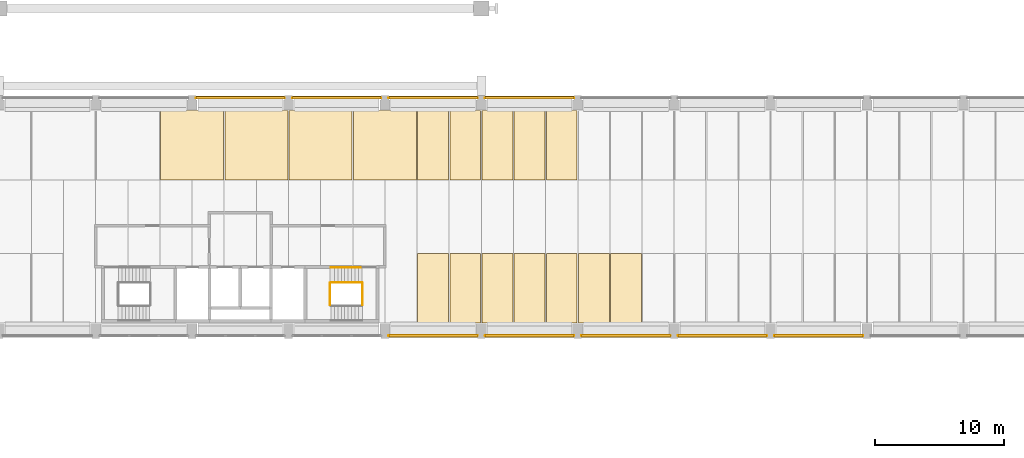
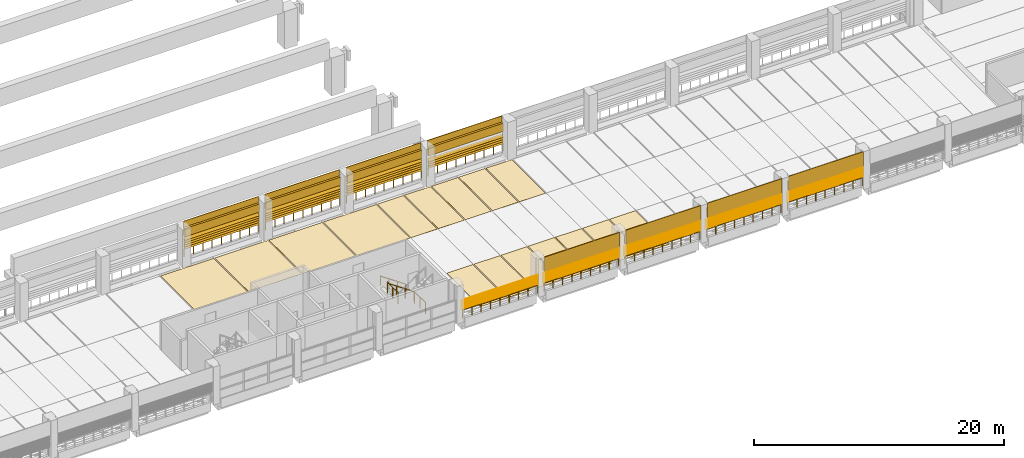
# One storey, part 46 of 61: 44 shading devices, 24 coverings, 13 railings.
"""IFC4 building model written with IfcOpenShell, lengths in metres."""

from ifc_helpers import new_model, si_unit, direction, frame, origin, origin_2d, place, context, subcontext, project, spatial, polyline, circle, outline, extrude, material, layer, layer_set, type_object, element, save


model = new_model("IFC4")

# Units and contexts
model_context = context("Model", 3, precision=1e-05, world=origin(), true_north=direction((0.0, 1.0)))
body_context = subcontext(model_context, "Body", "Model", "MODEL_VIEW")
ifc_project = project(units=[si_unit("LENGTHUNIT", "METRE"), si_unit("AREAUNIT", "SQUARE_METRE"), si_unit("VOLUMEUNIT", "CUBIC_METRE"), si_unit("PLANEANGLEUNIT", "RADIAN"), si_unit("MASSUNIT", "GRAM", prefix="KILO")], contexts=[model_context])

# Site, building, storey
site_placement = place(None, origin())
site = spatial("IfcSite", under=ifc_project, at=site_placement, CompositionType="ELEMENT")
building_placement = place(site_placement, origin())
building = spatial("IfcBuilding", under=site, at=building_placement, Name="Cour d'Honneur Mobility Palace", CompositionType="ELEMENT")
storey_placement = place(building_placement, frame((0.0, 0.0, 11.89990234375)))
storey = spatial("IfcBuildingStorey", under=building, at=storey_placement, Name="L03", CompositionType="ELEMENT", Elevation=11.89990234375)

# Coverings
ifc_material_1 = material(Name="Accessible bay marking paint")
ifc_layer_1 = layer(ifc_material_1, 0.0048828125)
ifc_layer_set_1 = layer_set([ifc_layer_1], Name="Accessible bay marking paint")
covering_type_1 = type_object("IfcCoveringType", Name="Accessible parking bay marking", PredefinedType="FLOORING", material=ifc_layer_set_1)
covering_1_placement = place(storey_placement, origin())
element("IfcCovering", 1, at=covering_1_placement, inside=storey, type_object=covering_type_1, Name="Accessible parking bay marking L03 3", PredefinedType="FLOORING", context=body_context, shape_type="SweptSolid", body=[
    extrude(outline(polyline([(74.949951171875, 56.550048828125), (74.949951171875, 61.949951171875), (79.85009765625, 61.949951171875), (79.85009765625, 56.550048828125), (74.949951171875, 56.550048828125)])), origin(), (0.0, 0.0, 1.0), 0.005126953125),
])
covering_2_placement = place(storey_placement, origin())
element("IfcCovering", 2, at=covering_2_placement, inside=storey, type_object=covering_type_1, Name="Accessible parking bay marking L03 4", PredefinedType="FLOORING", context=body_context, shape_type="SweptSolid", body=[
    extrude(outline(polyline([(79.949951171875, 56.550048828125), (79.949951171875, 61.949951171875), (84.85009765625, 61.949951171875), (84.85009765625, 56.550048828125), (79.949951171875, 56.550048828125)])), origin(), (0.0, 0.0, 1.0), 0.005126953125),
])
covering_3_placement = place(storey_placement, origin())
element("IfcCovering", 3, at=covering_3_placement, inside=storey, type_object=covering_type_1, Name="Accessible parking bay marking L03 5", PredefinedType="FLOORING", context=body_context, shape_type="SweptSolid", body=[
    extrude(outline(polyline([(84.949951171875, 56.550048828125), (84.949951171875, 61.949951171875), (89.85009765625, 61.949951171875), (89.85009765625, 56.550048828125), (84.949951171875, 56.550048828125)])), origin(), (0.0, 0.0, 1.0), 0.005126953125),
])
covering_4_placement = place(storey_placement, origin())
element("IfcCovering", 4, at=covering_4_placement, inside=storey, type_object=covering_type_1, Name="Accessible parking bay marking L03 6", PredefinedType="FLOORING", context=body_context, shape_type="SweptSolid", body=[
    extrude(outline(polyline([(89.949951171875, 56.550048828125), (89.949951171875, 61.949951171875), (94.85009765625, 61.949951171875), (94.85009765625, 56.550048828125), (89.949951171875, 56.550048828125)])), origin(), (0.0, 0.0, 1.0), 0.005126953125),
])

# Railings
ifc_material_2 = material(Name="Painted steel", Category="steel")
railing_type_1 = type_object("IfcRailingType", Name="Balustrade", PredefinedType="BALUSTRADE", material=ifc_material_2)
for number, where, name in (
    (5, (92.699951171875, 44.449951171875, 0.300048828125), "Balustrade BAL-146"),
    (6, (100.199951171875, 44.449951171875, 0.300048828125), "Balustrade BAL-147"),
    (7, (107.699951171875, 44.449951171875, 0.300048828125), "Balustrade BAL-148"),
    (8, (115.199951171875, 44.449951171875, 0.300048828125), "Balustrade BAL-149"),
    (9, (122.699951171875, 44.449951171875, 0.300048828125), "Balustrade BAL-150"),
):
    element("IfcRailing", number, at=place(storey_placement, frame(where)), inside=storey, type_object=railing_type_1, Name=name, PredefinedType="BALUSTRADE", context=body_context, shape_type="SweptSolid", body=[
        extrude(circle(Radius=0.02392578125, at=origin_2d()), frame((0.0, 0.0, 0.77587890625), z_axis=(1.0, 0.0, 0.0), x_axis=(0.0, 1.0, 0.0)), (0.0, 0.0, 1.0), 6.900146484375),
        extrude(circle(Radius=0.02099609375, at=origin_2d()), origin(), (0.0, 0.0, 1.0), 0.751953125),
        extrude(circle(Radius=0.02099609375, at=origin_2d()), frame((0.862548828125, 0.0, 0.0)), (0.0, 0.0, 1.0), 0.751953125),
        extrude(circle(Radius=0.02099609375, at=origin_2d()), frame((1.72509765625, 0.0, 0.0)), (0.0, 0.0, 1.0), 0.751953125),
        extrude(circle(Radius=0.02099609375, at=origin_2d()), frame((2.587646484375, 0.0, 0.0)), (0.0, 0.0, 1.0), 0.751953125),
        extrude(circle(Radius=0.02099609375, at=origin_2d()), frame((3.4501953125, 0.0, 0.0)), (0.0, 0.0, 1.0), 0.751953125),
        extrude(circle(Radius=0.02099609375, at=origin_2d()), frame((4.3125, 0.0, 0.0)), (0.0, 0.0, 1.0), 0.751953125),
        extrude(circle(Radius=0.02099609375, at=origin_2d()), frame((5.175048828125, 0.0, 0.0)), (0.0, 0.0, 1.0), 0.751953125),
        extrude(circle(Radius=0.02099609375, at=origin_2d()), frame((6.03759765625, 0.0, 0.0)), (0.0, 0.0, 1.0), 0.751953125),
        extrude(circle(Radius=0.02099609375, at=origin_2d()), frame((6.900146484375, 0.0, 0.0)), (0.0, 0.0, 1.0), 0.751953125),
    ])
for number, where, name in (
    (10, (107.10009765625, 62.949951171875, 0.300048828125), "Balustrade BAL-175"),
    (11, (99.60009765625, 62.949951171875, 0.300048828125), "Balustrade BAL-176"),
    (12, (92.10009765625, 62.949951171875, 0.300048828125), "Balustrade BAL-177"),
    (13, (84.60009765625, 62.949951171875, 0.300048828125), "Balustrade BAL-178"),
):
    element("IfcRailing", number, at=place(storey_placement, frame(where)), inside=storey, type_object=railing_type_1, Name=name, PredefinedType="BALUSTRADE", context=body_context, shape_type="SweptSolid", body=[
        extrude(circle(Radius=0.02392578125, at=origin_2d()), frame((0.0, 0.0, 0.77587890625), z_axis=(-1.0, 0.0, 0.0), x_axis=(0.0, -1.0, 0.0)), (0.0, 0.0, 1.0), 6.900146484375),
        extrude(circle(Radius=0.02099609375, at=origin_2d()), origin(), (0.0, 0.0, 1.0), 0.751953125),
        extrude(circle(Radius=0.02099609375, at=origin_2d()), frame((-0.862548828125, 0.0, 0.0)), (0.0, 0.0, 1.0), 0.751953125),
        extrude(circle(Radius=0.02099609375, at=origin_2d()), frame((-1.72509765625, 0.0, 0.0)), (0.0, 0.0, 1.0), 0.751953125),
        extrude(circle(Radius=0.02099609375, at=origin_2d()), frame((-2.587646484375, 0.0, 0.0)), (0.0, 0.0, 1.0), 0.751953125),
        extrude(circle(Radius=0.02099609375, at=origin_2d()), frame((-3.4501953125, 0.0, 0.0)), (0.0, 0.0, 1.0), 0.751953125),
        extrude(circle(Radius=0.02099609375, at=origin_2d()), frame((-4.3125, 0.0, 0.0)), (0.0, 0.0, 1.0), 0.751953125),
        extrude(circle(Radius=0.02099609375, at=origin_2d()), frame((-5.175048828125, 0.0, 0.0)), (0.0, 0.0, 1.0), 0.751953125),
        extrude(circle(Radius=0.02099609375, at=origin_2d()), frame((-6.03759765625, 0.0, 0.0)), (0.0, 0.0, 1.0), 0.751953125),
        extrude(circle(Radius=0.02099609375, at=origin_2d()), frame((-6.900146484375, 0.0, 0.0)), (0.0, 0.0, 1.0), 0.751953125),
    ])
ifc_material_3 = material(Name="Painted steel", Category="steel")
railing_type_2 = type_object("IfcRailingType", Name="Guardrail 1100", PredefinedType="GUARDRAIL", material=ifc_material_3)
for number, where, name in (
    (14, (90.64501953125, 46.824951171875, 0.0), "Guard ST-CC2"),
    (15, (88.135009765625, 46.824951171875, 1.85009765625), "Landing guard ST-CC2"),
):
    element("IfcRailing", number, at=place(storey_placement, frame(where)), inside=storey, type_object=railing_type_2, Name=name, PredefinedType="GUARDRAIL", context=body_context, shape_type="SweptSolid", body=[
        extrude(circle(Radius=0.02490234375, at=origin_2d()), frame((0.0, 0.0, 1.0751953125), z_axis=(0.0, 1.0, 0.0), x_axis=(-1.0, 0.0, 0.0)), (0.0, 0.0, 1.0), 1.72509765625),
        extrude(circle(Radius=0.02099609375, at=origin_2d()), origin(), (0.0, 0.0, 1.0), 1.050048828125),
        extrude(circle(Radius=0.02099609375, at=origin_2d()), frame((0.0, 0.862548828125, 0.0)), (0.0, 0.0, 1.0), 1.050048828125),
        extrude(circle(Radius=0.02099609375, at=origin_2d()), frame((0.0, 1.72509765625, 0.0)), (0.0, 0.0, 1.0), 1.050048828125),
    ])
ifc_material_4 = material(Name="Stainless steel", Category="steel")
railing_type_3 = type_object("IfcRailingType", Name="Handrail round 50", PredefinedType="HANDRAIL", material=ifc_material_4)
railing_1_placement = place(storey_placement, frame((90.52490234375, 49.75, 0.253662109375)))
element("IfcRailing", 16, at=railing_1_placement, inside=storey, type_object=railing_type_3, Name="Handrail ST-CC2", PredefinedType="HANDRAIL", context=body_context, shape_type="SweptSolid", body=[
    extrude(circle(Radius=0.02490234375, at=origin_2d()), frame((0.0, 0.0, 0.89501953125), z_axis=(-0.824921175984, 0.0, 0.565247780547), x_axis=(0.0, -1.0, 0.0)), (0.0, 0.0, 1.0), 2.82421875),
    extrude(circle(Radius=0.02099609375, at=origin_2d()), origin(), (0.0, 0.0, 1.0), 0.869873046875),
    extrude(circle(Radius=0.02099609375, at=origin_2d()), frame((-0.776611328125, 0.0, 0.5322265625)), (0.0, 0.0, 1.0), 0.869873046875),
    extrude(circle(Radius=0.02099609375, at=origin_2d()), frame((-1.55322265625, 0.0, 1.064208984375)), (0.0, 0.0, 1.0), 0.869873046875),
    extrude(circle(Radius=0.02099609375, at=origin_2d()), frame((-2.329833984375, 0.0, 1.596435546875)), (0.0, 0.0, 1.0), 0.869873046875),
])
railing_2_placement = place(storey_placement, frame((90.625, 48.60009765625, 0.18505859375)))
element("IfcRailing", 17, at=railing_2_placement, inside=storey, type_object=railing_type_3, Name="Handrail ST-CC2", PredefinedType="HANDRAIL", context=body_context, shape_type="SweptSolid", body=[
    extrude(circle(Radius=0.02490234375, at=origin_2d()), frame((0.0, 0.0, 0.89501953125), z_axis=(-0.8249187745, 0.0, 0.56525128525), x_axis=(0.0, -1.0, 0.0)), (0.0, 0.0, 1.0), 2.945556640625),
    extrude(circle(Radius=0.02099609375, at=origin_2d()), origin(), (0.0, 0.0, 1.0), 0.869873046875),
    extrude(circle(Radius=0.02099609375, at=origin_2d()), frame((-0.81005859375, 0.0, 0.554931640625)), (0.0, 0.0, 1.0), 0.869873046875),
    extrude(circle(Radius=0.02099609375, at=origin_2d()), frame((-1.619873046875, 0.0, 1.110107421875)), (0.0, 0.0, 1.0), 0.869873046875),
    extrude(circle(Radius=0.02099609375, at=origin_2d()), frame((-2.429931640625, 0.0, 1.6650390625)), (0.0, 0.0, 1.0), 0.869873046875),
])

# Coverings
ifc_material_5 = material(Name="Parking marking paint")
ifc_layer_2 = layer(ifc_material_5, 0.0048828125)
ifc_layer_set_2 = layer_set([ifc_layer_2], Name="Parking marking paint")
covering_type_2 = type_object("IfcCoveringType", Name="Parking bay marking", PredefinedType="FLOORING", material=ifc_layer_set_2)
covering_5_placement = place(storey_placement, origin())
element("IfcCovering", 18, at=covering_5_placement, inside=storey, type_object=covering_type_2, Name="Parking bay marking L03 14", PredefinedType="FLOORING", context=body_context, shape_type="SweptSolid", body=[
    extrude(outline(polyline([(97.35009765625, 56.550048828125), (94.949951171875, 56.550048828125), (94.949951171875, 61.949951171875), (97.35009765625, 61.949951171875), (97.35009765625, 56.550048828125)])), origin(), (0.0, 0.0, 1.0), 0.005126953125),
])
covering_6_placement = place(storey_placement, origin())
element("IfcCovering", 19, at=covering_6_placement, inside=storey, type_object=covering_type_2, Name="Parking bay marking L03 15", PredefinedType="FLOORING", context=body_context, shape_type="SweptSolid", body=[
    extrude(outline(polyline([(99.85009765625, 56.550048828125), (97.449951171875, 56.550048828125), (97.449951171875, 61.949951171875), (99.85009765625, 61.949951171875), (99.85009765625, 56.550048828125)])), origin(), (0.0, 0.0, 1.0), 0.005126953125),
])
covering_7_placement = place(storey_placement, origin())
element("IfcCovering", 20, at=covering_7_placement, inside=storey, type_object=covering_type_2, Name="Parking bay marking L03 16", PredefinedType="FLOORING", context=body_context, shape_type="SweptSolid", body=[
    extrude(outline(polyline([(102.35009765625, 56.550048828125), (99.949951171875, 56.550048828125), (99.949951171875, 61.949951171875), (102.35009765625, 61.949951171875), (102.35009765625, 56.550048828125)])), origin(), (0.0, 0.0, 1.0), 0.005126953125),
])
covering_8_placement = place(storey_placement, origin())
element("IfcCovering", 21, at=covering_8_placement, inside=storey, type_object=covering_type_2, Name="Parking bay marking L03 17", PredefinedType="FLOORING", context=body_context, shape_type="SweptSolid", body=[
    extrude(outline(polyline([(104.85009765625, 56.550048828125), (102.449951171875, 56.550048828125), (102.449951171875, 61.949951171875), (104.85009765625, 61.949951171875), (104.85009765625, 56.550048828125)])), origin(), (0.0, 0.0, 1.0), 0.005126953125),
])
covering_9_placement = place(storey_placement, origin())
element("IfcCovering", 22, at=covering_9_placement, inside=storey, type_object=covering_type_2, Name="Parking bay marking L03 18", PredefinedType="FLOORING", context=body_context, shape_type="SweptSolid", body=[
    extrude(outline(polyline([(107.35009765625, 56.550048828125), (104.949951171875, 56.550048828125), (104.949951171875, 61.949951171875), (107.35009765625, 61.949951171875), (107.35009765625, 56.550048828125)])), origin(), (0.0, 0.0, 1.0), 0.005126953125),
])
covering_10_placement = place(storey_placement, origin())
element("IfcCovering", 23, at=covering_10_placement, inside=storey, type_object=covering_type_2, Name="Parking bay marking L03 53", PredefinedType="FLOORING", context=body_context, shape_type="SweptSolid", body=[
    extrude(outline(polyline([(97.35009765625, 45.449951171875), (94.949951171875, 45.449951171875), (94.949951171875, 50.85009765625), (97.35009765625, 50.85009765625), (97.35009765625, 45.449951171875)])), origin(), (0.0, 0.0, 1.0), 0.005126953125),
])
covering_11_placement = place(storey_placement, origin())
element("IfcCovering", 24, at=covering_11_placement, inside=storey, type_object=covering_type_2, Name="Parking bay marking L03 54", PredefinedType="FLOORING", context=body_context, shape_type="SweptSolid", body=[
    extrude(outline(polyline([(99.85009765625, 45.449951171875), (97.449951171875, 45.449951171875), (97.449951171875, 50.85009765625), (99.85009765625, 50.85009765625), (99.85009765625, 45.449951171875)])), origin(), (0.0, 0.0, 1.0), 0.005126953125),
])
covering_12_placement = place(storey_placement, origin())
element("IfcCovering", 25, at=covering_12_placement, inside=storey, type_object=covering_type_2, Name="Parking bay marking L03 55", PredefinedType="FLOORING", context=body_context, shape_type="SweptSolid", body=[
    extrude(outline(polyline([(102.35009765625, 45.449951171875), (99.949951171875, 45.449951171875), (99.949951171875, 50.85009765625), (102.35009765625, 50.85009765625), (102.35009765625, 45.449951171875)])), origin(), (0.0, 0.0, 1.0), 0.005126953125),
])
covering_13_placement = place(storey_placement, origin())
element("IfcCovering", 26, at=covering_13_placement, inside=storey, type_object=covering_type_2, Name="Parking bay marking L03 56", PredefinedType="FLOORING", context=body_context, shape_type="SweptSolid", body=[
    extrude(outline(polyline([(104.85009765625, 45.449951171875), (102.449951171875, 45.449951171875), (102.449951171875, 50.85009765625), (104.85009765625, 50.85009765625), (104.85009765625, 45.449951171875)])), origin(), (0.0, 0.0, 1.0), 0.005126953125),
])
covering_14_placement = place(storey_placement, origin())
element("IfcCovering", 27, at=covering_14_placement, inside=storey, type_object=covering_type_2, Name="Parking bay marking L03 57", PredefinedType="FLOORING", context=body_context, shape_type="SweptSolid", body=[
    extrude(outline(polyline([(107.35009765625, 45.449951171875), (104.949951171875, 45.449951171875), (104.949951171875, 50.85009765625), (107.35009765625, 50.85009765625), (107.35009765625, 45.449951171875)])), origin(), (0.0, 0.0, 1.0), 0.005126953125),
])
covering_15_placement = place(storey_placement, origin())
element("IfcCovering", 28, at=covering_15_placement, inside=storey, type_object=covering_type_2, Name="Parking bay marking L03 58", PredefinedType="FLOORING", context=body_context, shape_type="SweptSolid", body=[
    extrude(outline(polyline([(109.85009765625, 45.449951171875), (107.449951171875, 45.449951171875), (107.449951171875, 50.85009765625), (109.85009765625, 50.85009765625), (109.85009765625, 45.449951171875)])), origin(), (0.0, 0.0, 1.0), 0.005126953125),
])
covering_16_placement = place(storey_placement, origin())
element("IfcCovering", 29, at=covering_16_placement, inside=storey, type_object=covering_type_2, Name="Parking bay marking L03 59", PredefinedType="FLOORING", context=body_context, shape_type="SweptSolid", body=[
    extrude(outline(polyline([(112.35009765625, 45.449951171875), (109.949951171875, 45.449951171875), (109.949951171875, 50.85009765625), (112.35009765625, 50.85009765625), (112.35009765625, 45.449951171875)])), origin(), (0.0, 0.0, 1.0), 0.005126953125),
])
ifc_material_6 = material(Name="Cast limestone", Category="masonry")
ifc_layer_3 = layer(ifc_material_6, 0.25)
ifc_layer_set_3 = layer_set([ifc_layer_3], Name="Cast limestone")
covering_type_3 = type_object("IfcCoveringType", Name="Spandrel cladding", PredefinedType="CLADDING", material=ifc_layer_set_3)
for number, where, z_axis, x_axis, name in (
    (30, (100.199951171875, 44.550048828125, 2.300048828125), (-1.0, 0.0, 0.0), (0.0, -1.0, 0.0), "Spandrel cladding SK-219"),
    (31, (107.699951171875, 44.550048828125, 2.300048828125), (-1.0, 0.0, 0.0), (0.0, -1.0, 0.0), "Spandrel cladding SK-220"),
    (32, (115.199951171875, 44.550048828125, 2.300048828125), (-1.0, 0.0, 0.0), (0.0, -1.0, 0.0), "Spandrel cladding SK-221"),
    (33, (122.699951171875, 44.550048828125, 2.300048828125), (-1.0, 0.0, 0.0), (0.0, -1.0, 0.0), "Spandrel cladding SK-222"),
    (34, (107.10009765625, 62.85009765625, 2.300048828125), (1.0, 0.0, 0.0), (0.0, 1.0, 0.0), "Spandrel cladding SK-250"),
    (35, (99.60009765625, 62.85009765625, 2.300048828125), (1.0, 0.0, 0.0), (0.0, 1.0, 0.0), "Spandrel cladding SK-251"),
    (36, (92.10009765625, 62.85009765625, 2.300048828125), (1.0, 0.0, 0.0), (0.0, 1.0, 0.0), "Spandrel cladding SK-252"),
    (37, (84.60009765625, 62.85009765625, 2.300048828125), (1.0, 0.0, 0.0), (0.0, 1.0, 0.0), "Spandrel cladding SK-253"),
):
    element("IfcCovering", number, at=place(storey_placement, frame(where, z_axis=z_axis, x_axis=x_axis)), inside=storey, type_object=covering_type_3, Name=name, PredefinedType="CLADDING", context=body_context, shape_type="SweptSolid", body=[
        extrude(outline(polyline([(0.0, 0.0), (0.25, 0.0), (0.25, 1.400146484375), (0.199951171875, 1.400146484375), (0.199951171875, 0.800048828125), (0.0, 0.800048828125), (0.0, 0.0)])), origin(), (0.0, 0.0, -1.0), 6.89990234375),
    ])

# Shading devices
ifc_material_7 = material(Name="Terracotta", Category="masonry")
ifc_layer_4 = layer(ifc_material_7, 0.02490234375)
ifc_layer_set_4 = layer_set([ifc_layer_4], Name="Terracotta")
shading_device_type = type_object("IfcShadingDeviceType", Name="Terracotta louvre blade", PredefinedType="JALOUSIE", material=ifc_layer_set_4)
for number, where, z_axis, x_axis, name in (
    (38, (92.699951171875, 44.55615234375, 1.10009765625), (0.0, 0.707106781187, 0.707106781187), (1.0, 0.0, 0.0), "Louvre blade LV-1 S2.10 L03 1"),
    (39, (92.699951171875, 44.55615234375, 1.312255859375), (0.0, 0.707106781187, 0.707106781187), (1.0, 0.0, 0.0), "Louvre blade LV-1 S2.10 L03 2"),
    (40, (92.699951171875, 44.55615234375, 1.5244140625), (0.0, 0.707106781187, 0.707106781187), (1.0, 0.0, 0.0), "Louvre blade LV-1 S2.10 L03 3"),
    (41, (92.699951171875, 44.55615234375, 1.736572265625), (0.0, 0.707106781187, 0.707106781187), (1.0, 0.0, 0.0), "Louvre blade LV-1 S2.10 L03 4"),
):
    element("IfcShadingDevice", number, at=place(storey_placement, frame(where, z_axis=z_axis, x_axis=x_axis)), inside=storey, type_object=shading_device_type, Name=name, PredefinedType="JALOUSIE", context=body_context, shape_type="SweptSolid", body=[
        extrude(outline(polyline([(0.0, 0.0), (6.900146484375, 0.0), (6.900146484375, -0.300037008228081), (0.0, -0.300037008228081), (0.0, 0.0)])), origin(), (0.0, 0.0, -1.0), 0.02490234375),
    ])
shading_device_1_placement = place(storey_placement, frame((92.699951171875, 44.55615234375, 1.94873046875), z_axis=(0.0, 0.706699578995, 0.707513749017), x_axis=(1.0, 0.0, 0.0)))
element("IfcShadingDevice", 42, at=shading_device_1_placement, inside=storey, type_object=shading_device_type, Name="Louvre blade LV-1 S2.10 L03 5", PredefinedType="JALOUSIE", context=body_context, shape_type="SweptSolid", body=[
    extrude(outline(polyline([(0.0, 0.0), (6.900146484375, 0.0), (6.900146484375, -0.29986442442957895), (0.0, -0.29986442442957895), (0.0, 0.0)])), origin(), (0.0, 0.0, -1.0), 0.02490234375),
])
for number, where, z_axis, x_axis, name in (
    (43, (100.199951171875, 44.55615234375, 1.10009765625), (0.0, 0.707106781187, 0.707106781187), (1.0, 0.0, 0.0), "Louvre blade LV-1 S2.11 L03 1"),
    (44, (100.199951171875, 44.55615234375, 1.312255859375), (0.0, 0.707106781187, 0.707106781187), (1.0, 0.0, 0.0), "Louvre blade LV-1 S2.11 L03 2"),
    (45, (100.199951171875, 44.55615234375, 1.5244140625), (0.0, 0.707106781187, 0.707106781187), (1.0, 0.0, 0.0), "Louvre blade LV-1 S2.11 L03 3"),
    (46, (100.199951171875, 44.55615234375, 1.736572265625), (0.0, 0.707106781187, 0.707106781187), (1.0, 0.0, 0.0), "Louvre blade LV-1 S2.11 L03 4"),
):
    element("IfcShadingDevice", number, at=place(storey_placement, frame(where, z_axis=z_axis, x_axis=x_axis)), inside=storey, type_object=shading_device_type, Name=name, PredefinedType="JALOUSIE", context=body_context, shape_type="SweptSolid", body=[
        extrude(outline(polyline([(0.0, 0.0), (6.900146484375, 0.0), (6.900146484375, -0.300037008228081), (0.0, -0.300037008228081), (0.0, 0.0)])), origin(), (0.0, 0.0, -1.0), 0.02490234375),
    ])
shading_device_2_placement = place(storey_placement, frame((100.199951171875, 44.55615234375, 1.94873046875), z_axis=(0.0, 0.706699578995, 0.707513749017), x_axis=(1.0, 0.0, 0.0)))
element("IfcShadingDevice", 47, at=shading_device_2_placement, inside=storey, type_object=shading_device_type, Name="Louvre blade LV-1 S2.11 L03 5", PredefinedType="JALOUSIE", context=body_context, shape_type="SweptSolid", body=[
    extrude(outline(polyline([(0.0, 0.0), (6.900146484375, 0.0), (6.900146484375, -0.29986442442957895), (0.0, -0.29986442442957895), (0.0, 0.0)])), origin(), (0.0, 0.0, -1.0), 0.02490234375),
])
for number, where, z_axis, x_axis, name in (
    (48, (107.699951171875, 44.55615234375, 1.10009765625), (0.0, 0.707106781187, 0.707106781187), (1.0, 0.0, 0.0), "Louvre blade LV-1 S2.12 L03 1"),
    (49, (107.699951171875, 44.55615234375, 1.312255859375), (0.0, 0.707106781187, 0.707106781187), (1.0, 0.0, 0.0), "Louvre blade LV-1 S2.12 L03 2"),
    (50, (107.699951171875, 44.55615234375, 1.5244140625), (0.0, 0.707106781187, 0.707106781187), (1.0, 0.0, 0.0), "Louvre blade LV-1 S2.12 L03 3"),
    (51, (107.699951171875, 44.55615234375, 1.736572265625), (0.0, 0.707106781187, 0.707106781187), (1.0, 0.0, 0.0), "Louvre blade LV-1 S2.12 L03 4"),
):
    element("IfcShadingDevice", number, at=place(storey_placement, frame(where, z_axis=z_axis, x_axis=x_axis)), inside=storey, type_object=shading_device_type, Name=name, PredefinedType="JALOUSIE", context=body_context, shape_type="SweptSolid", body=[
        extrude(outline(polyline([(0.0, 0.0), (6.900146484375, 0.0), (6.900146484375, -0.300037008228081), (0.0, -0.300037008228081), (0.0, 0.0)])), origin(), (0.0, 0.0, -1.0), 0.02490234375),
    ])
shading_device_3_placement = place(storey_placement, frame((107.699951171875, 44.55615234375, 1.94873046875), z_axis=(0.0, 0.706699578995, 0.707513749017), x_axis=(1.0, 0.0, 0.0)))
element("IfcShadingDevice", 52, at=shading_device_3_placement, inside=storey, type_object=shading_device_type, Name="Louvre blade LV-1 S2.12 L03 5", PredefinedType="JALOUSIE", context=body_context, shape_type="SweptSolid", body=[
    extrude(outline(polyline([(0.0, 0.0), (6.900146484375, 0.0), (6.900146484375, -0.29986442442957895), (0.0, -0.29986442442957895), (0.0, 0.0)])), origin(), (0.0, 0.0, -1.0), 0.02490234375),
])
for number, where, z_axis, x_axis, name in (
    (53, (115.199951171875, 44.55615234375, 1.10009765625), (0.0, 0.707106781187, 0.707106781187), (1.0, 0.0, 0.0), "Louvre blade LV-1 S2.13 L03 1"),
    (54, (115.199951171875, 44.55615234375, 1.312255859375), (0.0, 0.707106781187, 0.707106781187), (1.0, 0.0, 0.0), "Louvre blade LV-1 S2.13 L03 2"),
    (55, (115.199951171875, 44.55615234375, 1.5244140625), (0.0, 0.707106781187, 0.707106781187), (1.0, 0.0, 0.0), "Louvre blade LV-1 S2.13 L03 3"),
    (56, (115.199951171875, 44.55615234375, 1.736572265625), (0.0, 0.707106781187, 0.707106781187), (1.0, 0.0, 0.0), "Louvre blade LV-1 S2.13 L03 4"),
):
    element("IfcShadingDevice", number, at=place(storey_placement, frame(where, z_axis=z_axis, x_axis=x_axis)), inside=storey, type_object=shading_device_type, Name=name, PredefinedType="JALOUSIE", context=body_context, shape_type="SweptSolid", body=[
        extrude(outline(polyline([(0.0, 0.0), (6.900146484375, 0.0), (6.900146484375, -0.300037008228081), (0.0, -0.300037008228081), (0.0, 0.0)])), origin(), (0.0, 0.0, -1.0), 0.02490234375),
    ])
shading_device_4_placement = place(storey_placement, frame((115.199951171875, 44.55615234375, 1.94873046875), z_axis=(0.0, 0.706699578995, 0.707513749017), x_axis=(1.0, 0.0, 0.0)))
element("IfcShadingDevice", 57, at=shading_device_4_placement, inside=storey, type_object=shading_device_type, Name="Louvre blade LV-1 S2.13 L03 5", PredefinedType="JALOUSIE", context=body_context, shape_type="SweptSolid", body=[
    extrude(outline(polyline([(0.0, 0.0), (6.900146484375, 0.0), (6.900146484375, -0.29986442442957895), (0.0, -0.29986442442957895), (0.0, 0.0)])), origin(), (0.0, 0.0, -1.0), 0.02490234375),
])
for number, where, z_axis, x_axis, name in (
    (58, (122.699951171875, 44.55615234375, 1.10009765625), (0.0, 0.707106781187, 0.707106781187), (1.0, 0.0, 0.0), "Louvre blade LV-1 S2.14 L03 1"),
    (59, (122.699951171875, 44.55615234375, 1.312255859375), (0.0, 0.707106781187, 0.707106781187), (1.0, 0.0, 0.0), "Louvre blade LV-1 S2.14 L03 2"),
    (60, (122.699951171875, 44.55615234375, 1.5244140625), (0.0, 0.707106781187, 0.707106781187), (1.0, 0.0, 0.0), "Louvre blade LV-1 S2.14 L03 3"),
    (61, (122.699951171875, 44.55615234375, 1.736572265625), (0.0, 0.707106781187, 0.707106781187), (1.0, 0.0, 0.0), "Louvre blade LV-1 S2.14 L03 4"),
):
    element("IfcShadingDevice", number, at=place(storey_placement, frame(where, z_axis=z_axis, x_axis=x_axis)), inside=storey, type_object=shading_device_type, Name=name, PredefinedType="JALOUSIE", context=body_context, shape_type="SweptSolid", body=[
        extrude(outline(polyline([(0.0, 0.0), (6.900146484375, 0.0), (6.900146484375, -0.300037008228081), (0.0, -0.300037008228081), (0.0, 0.0)])), origin(), (0.0, 0.0, -1.0), 0.02490234375),
    ])
shading_device_5_placement = place(storey_placement, frame((122.699951171875, 44.55615234375, 1.94873046875), z_axis=(0.0, 0.706699578995, 0.707513749017), x_axis=(1.0, 0.0, 0.0)))
element("IfcShadingDevice", 62, at=shading_device_5_placement, inside=storey, type_object=shading_device_type, Name="Louvre blade LV-1 S2.14 L03 5", PredefinedType="JALOUSIE", context=body_context, shape_type="SweptSolid", body=[
    extrude(outline(polyline([(0.0, 0.0), (6.900146484375, 0.0), (6.900146484375, -0.29986442442957895), (0.0, -0.29986442442957895), (0.0, 0.0)])), origin(), (0.0, 0.0, -1.0), 0.02490234375),
])
for number, where, z_axis, x_axis, name in (
    (63, (107.10009765625, 62.843994140625, 1.10009765625), (0.0, -0.707106781187, 0.707106781187), (-1.0, 0.0, 0.0), "Louvre blade LV-1 N8.5 L03 1"),
    (64, (107.10009765625, 62.843994140625, 1.312255859375), (0.0, -0.707106781187, 0.707106781187), (-1.0, 0.0, 0.0), "Louvre blade LV-1 N8.5 L03 2"),
    (65, (107.10009765625, 62.843994140625, 1.5244140625), (0.0, -0.707106781187, 0.707106781187), (-1.0, 0.0, 0.0), "Louvre blade LV-1 N8.5 L03 3"),
    (66, (107.10009765625, 62.843994140625, 1.736572265625), (0.0, -0.707106781187, 0.707106781187), (-1.0, 0.0, 0.0), "Louvre blade LV-1 N8.5 L03 4"),
    (67, (99.60009765625, 62.843994140625, 1.10009765625), (0.0, -0.707106781187, 0.707106781187), (-1.0, 0.0, 0.0), "Louvre blade LV-1 N8.6 L03 1"),
    (68, (99.60009765625, 62.843994140625, 1.312255859375), (0.0, -0.707106781187, 0.707106781187), (-1.0, 0.0, 0.0), "Louvre blade LV-1 N8.6 L03 2"),
    (69, (99.60009765625, 62.843994140625, 1.5244140625), (0.0, -0.707106781187, 0.707106781187), (-1.0, 0.0, 0.0), "Louvre blade LV-1 N8.6 L03 3"),
    (70, (99.60009765625, 62.843994140625, 1.736572265625), (0.0, -0.707106781187, 0.707106781187), (-1.0, 0.0, 0.0), "Louvre blade LV-1 N8.6 L03 4"),
):
    element("IfcShadingDevice", number, at=place(storey_placement, frame(where, z_axis=z_axis, x_axis=x_axis)), inside=storey, type_object=shading_device_type, Name=name, PredefinedType="JALOUSIE", context=body_context, shape_type="SweptSolid", body=[
        extrude(outline(polyline([(0.0, 0.0), (6.900146484375, 0.0), (6.900146484375, -0.300037008228081), (0.0, -0.300037008228081), (0.0, 0.0)])), origin(), (0.0, 0.0, -1.0), 0.02490234375),
    ])
shading_device_6_placement = place(storey_placement, frame((99.60009765625, 62.843994140625, 1.94873046875), z_axis=(0.0, -0.706699578995, 0.707513749017), x_axis=(-1.0, 0.0, 0.0)))
element("IfcShadingDevice", 71, at=shading_device_6_placement, inside=storey, type_object=shading_device_type, Name="Louvre blade LV-1 N8.6 L03 5", PredefinedType="JALOUSIE", context=body_context, shape_type="SweptSolid", body=[
    extrude(outline(polyline([(0.0, 0.0), (6.900146484375, 0.0), (6.900146484375, -0.29986442442957895), (0.0, -0.29986442442957895), (0.0, 0.0)])), origin(), (0.0, 0.0, -1.0), 0.02490234375),
])
for number, where, z_axis, x_axis, name in (
    (72, (92.10009765625, 62.843994140625, 1.10009765625), (0.0, -0.707106781187, 0.707106781187), (-1.0, 0.0, 0.0), "Louvre blade LV-1 N8.7 L03 1"),
    (73, (92.10009765625, 62.843994140625, 1.312255859375), (0.0, -0.707106781187, 0.707106781187), (-1.0, 0.0, 0.0), "Louvre blade LV-1 N8.7 L03 2"),
    (74, (92.10009765625, 62.843994140625, 1.5244140625), (0.0, -0.707106781187, 0.707106781187), (-1.0, 0.0, 0.0), "Louvre blade LV-1 N8.7 L03 3"),
    (75, (92.10009765625, 62.843994140625, 1.736572265625), (0.0, -0.707106781187, 0.707106781187), (-1.0, 0.0, 0.0), "Louvre blade LV-1 N8.7 L03 4"),
):
    element("IfcShadingDevice", number, at=place(storey_placement, frame(where, z_axis=z_axis, x_axis=x_axis)), inside=storey, type_object=shading_device_type, Name=name, PredefinedType="JALOUSIE", context=body_context, shape_type="SweptSolid", body=[
        extrude(outline(polyline([(0.0, 0.0), (6.900146484375, 0.0), (6.900146484375, -0.300037008228081), (0.0, -0.300037008228081), (0.0, 0.0)])), origin(), (0.0, 0.0, -1.0), 0.02490234375),
    ])
shading_device_7_placement = place(storey_placement, frame((92.10009765625, 62.843994140625, 1.94873046875), z_axis=(0.0, -0.706699578995, 0.707513749017), x_axis=(-1.0, 0.0, 0.0)))
element("IfcShadingDevice", 76, at=shading_device_7_placement, inside=storey, type_object=shading_device_type, Name="Louvre blade LV-1 N8.7 L03 5", PredefinedType="JALOUSIE", context=body_context, shape_type="SweptSolid", body=[
    extrude(outline(polyline([(0.0, 0.0), (6.900146484375, 0.0), (6.900146484375, -0.29986442442957895), (0.0, -0.29986442442957895), (0.0, 0.0)])), origin(), (0.0, 0.0, -1.0), 0.02490234375),
])
for number, where, z_axis, x_axis, name in (
    (77, (84.60009765625, 62.843994140625, 1.10009765625), (0.0, -0.707106781187, 0.707106781187), (-1.0, 0.0, 0.0), "Louvre blade LV-1 N8.8 L03 1"),
    (78, (84.60009765625, 62.843994140625, 1.312255859375), (0.0, -0.707106781187, 0.707106781187), (-1.0, 0.0, 0.0), "Louvre blade LV-1 N8.8 L03 2"),
    (79, (84.60009765625, 62.843994140625, 1.5244140625), (0.0, -0.707106781187, 0.707106781187), (-1.0, 0.0, 0.0), "Louvre blade LV-1 N8.8 L03 3"),
    (80, (84.60009765625, 62.843994140625, 1.736572265625), (0.0, -0.707106781187, 0.707106781187), (-1.0, 0.0, 0.0), "Louvre blade LV-1 N8.8 L03 4"),
):
    element("IfcShadingDevice", number, at=place(storey_placement, frame(where, z_axis=z_axis, x_axis=x_axis)), inside=storey, type_object=shading_device_type, Name=name, PredefinedType="JALOUSIE", context=body_context, shape_type="SweptSolid", body=[
        extrude(outline(polyline([(0.0, 0.0), (6.900146484375, 0.0), (6.900146484375, -0.300037008228081), (0.0, -0.300037008228081), (0.0, 0.0)])), origin(), (0.0, 0.0, -1.0), 0.02490234375),
    ])
shading_device_8_placement = place(storey_placement, frame((84.60009765625, 62.843994140625, 1.94873046875), z_axis=(0.0, -0.706699578995, 0.707513749017), x_axis=(-1.0, 0.0, 0.0)))
element("IfcShadingDevice", 81, at=shading_device_8_placement, inside=storey, type_object=shading_device_type, Name="Louvre blade LV-1 N8.8 L03 5", PredefinedType="JALOUSIE", context=body_context, shape_type="SweptSolid", body=[
    extrude(outline(polyline([(0.0, 0.0), (6.900146484375, 0.0), (6.900146484375, -0.29986442442957895), (0.0, -0.29986442442957895), (0.0, 0.0)])), origin(), (0.0, 0.0, -1.0), 0.02490234375),
])

save(model, "model.ifc")
